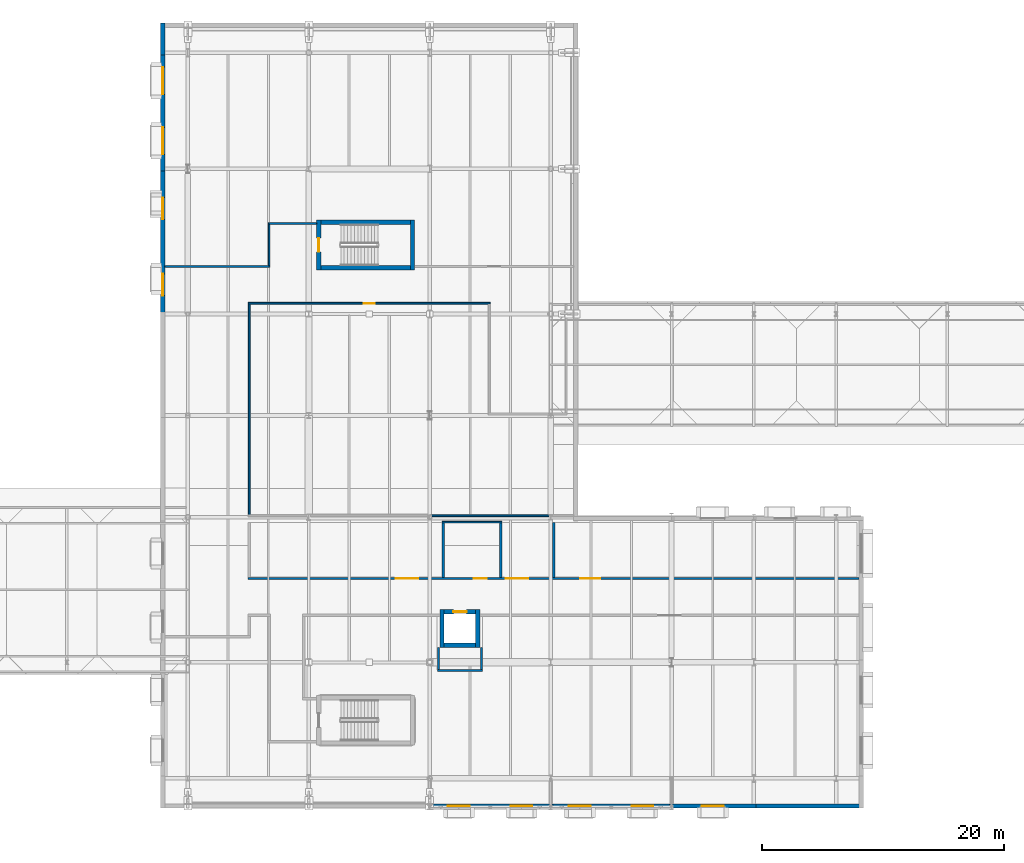
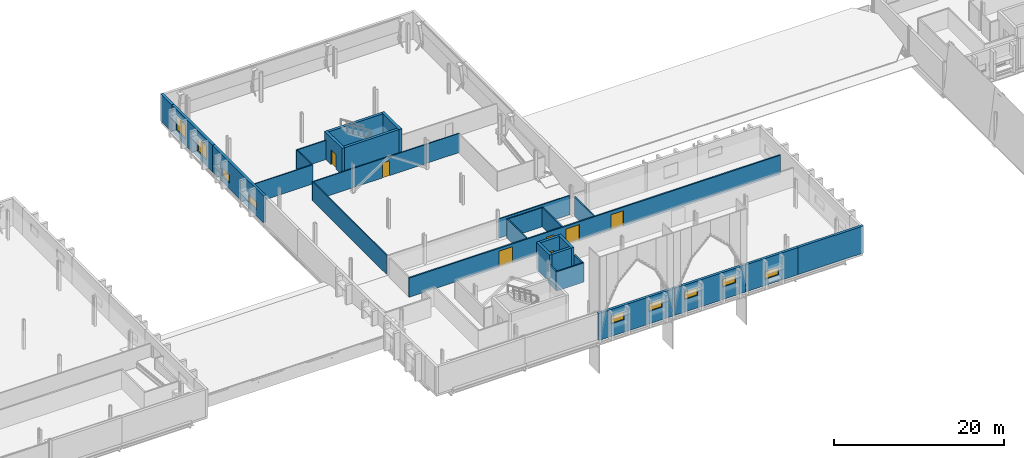
# One storey, part 65 of 90: 29 walls, 9 windows, 7 doors, 16 openings.
"""IFC4 building model written with IfcOpenShell, lengths in metres."""

import ifcopenshell
import ifcopenshell.guid

model = None  # the IFC model being written
_history = None  # IfcOwnerHistory: only IFC2X3 demands one
_inside = {}  # id of a spatial element -> (the spatial element, [elements in it])
_under = {}  # id of a project, library or spatial element -> (it, [spatial elements below it])
_declared = {}  # id of a project -> (the project, [libraries it declares])
_typed = {}  # id of a type object -> (the type object, [elements of that type])
_made_of = {}  # id of a material, layer set ... -> (it, [elements and type objects made of it])


def new_model(schema):
    """Start an empty IFC model of exactly this schema.

    Asked for "IFC4X3", IfcOpenShell would pick the latest addendum, in which some entities
    have other attributes; the version numbers below select the first issue.
    IFC2X3 requires an IfcOwnerHistory on every rooted entity: one is made here for all.
    """
    global model, _history
    if schema == "IFC4X3":
        model = ifcopenshell.file(schema_version=(4, 3, 0, 0))
    else:
        model = ifcopenshell.file(schema=schema)
    _inside.clear()
    _under.clear()
    _declared.clear()
    _typed.clear()
    _made_of.clear()
    _history = None
    if model.schema == "IFC2X3":
        org = make("IfcOrganization", Name="unknown")
        user = make(
            "IfcPersonAndOrganization",
            ThePerson=make("IfcPerson", FamilyName="unknown"),
            TheOrganization=org,
        )
        app = make(
            "IfcApplication",
            ApplicationDeveloper=org,
            Version="unknown",
            ApplicationFullName="unknown",
            ApplicationIdentifier="unknown",
        )
        _history = make(
            "IfcOwnerHistory",
            OwningUser=user,
            OwningApplication=app,
            ChangeAction="ADDED",
            CreationDate=0,
        )
    return model


def make(cls, **values):
    """One entity of the class cls with the attributes given. An attribute that is None is left unset."""
    return model.create_entity(
        cls, **{name: value for name, value in values.items() if value is not None}
    )


def rooted(cls, **values):
    """An entity with a GlobalId (a new one), such as an element, a storey or a relation."""
    return make(cls, GlobalId=ifcopenshell.guid.new(), OwnerHistory=_history, **values)


def si_unit(unit_type, name, prefix=None):
    """IfcSIUnit, for example si_unit("LENGTHUNIT", "METRE", prefix="MILLI")."""
    return make("IfcSIUnit", UnitType=unit_type, Prefix=prefix, Name=name)


def assignment(units):
    """IfcUnitAssignment: the units of a project."""
    return None if units is None else make("IfcUnitAssignment", Units=units)


def point(xyz):
    """IfcCartesianPoint."""
    return None if xyz is None else make("IfcCartesianPoint", Coordinates=xyz)


def direction(xyz):
    """IfcDirection."""
    return None if xyz is None else make("IfcDirection", DirectionRatios=xyz)


def frame(location, z_axis=None, x_axis=None):
    """IfcAxis2Placement3D, a coordinate frame: its origin and axes. An axis left out is left unset."""
    return make(
        "IfcAxis2Placement3D",
        Location=point(location),
        Axis=direction(z_axis),
        RefDirection=direction(x_axis),
    )


def frame_2d(location, x_axis=None):
    """IfcAxis2Placement2D, a coordinate frame in the plane: its origin and x axis."""
    return make(
        "IfcAxis2Placement2D", Location=point(location), RefDirection=direction(x_axis)
    )


def origin():
    """The frame at (0, 0, 0) with its axes left unset."""
    return frame((0.0, 0.0, 0.0))


def place(relative_to, where):
    """IfcLocalPlacement: puts the frame where relative to a parent placement (None: the world)."""
    return make(
        "IfcLocalPlacement", PlacementRelTo=relative_to, RelativePlacement=where
    )


def context(
    kind, dimensions, precision=None, world=None, true_north=None, identifier=None
):
    """IfcGeometricRepresentationContext, for example the 3D "Model" context."""
    return make(
        "IfcGeometricRepresentationContext",
        ContextIdentifier=identifier,
        ContextType=kind,
        CoordinateSpaceDimension=dimensions,
        Precision=precision,
        WorldCoordinateSystem=world,
        TrueNorth=true_north,
    )


def subcontext(parent, identifier, kind, view, scale=None):
    """IfcGeometricRepresentationSubContext, for example "Body" below "Model"."""
    return make(
        "IfcGeometricRepresentationSubContext",
        ContextIdentifier=identifier,
        ContextType=kind,
        ParentContext=parent,
        TargetScale=scale,
        TargetView=view,
    )


def project(units=None, contexts=None):
    """IfcProject with its units and contexts."""
    return rooted(
        "IfcProject",
        Name="project",
        RepresentationContexts=contexts,
        UnitsInContext=assignment(units),
    )


def spatial(cls, under=None, at=None, **own):
    """A site, building, storey or space (cls), placed at a placement, below another one or the project."""
    s = rooted(cls, ObjectPlacement=at, **own)
    if under is not None:
        _under.setdefault(under.id(), (under, []))[1].append(s)
    return s


def profile(cls, at=None, kind="AREA", **sizes):
    """A parametric profile (cls). Its sizes go by their IFC names, for example OverallWidth=200.0."""
    return make(cls, ProfileType=kind, Position=at, **sizes)


def rectangle(**sizes):
    """IfcRectangleProfileDef."""
    return profile("IfcRectangleProfileDef", **sizes)


def extrude(swept, where, along, depth):
    """IfcExtrudedAreaSolid: the profile swept, set in the frame where, extruded along a direction by depth."""
    return make(
        "IfcExtrudedAreaSolid",
        SweptArea=swept,
        Position=where,
        ExtrudedDirection=direction(along),
        Depth=depth,
    )


def shape(context_of_items, identifier, shape_type, items):
    """IfcShapeRepresentation: the items that make up one representation, for example the "Body"."""
    return make(
        "IfcShapeRepresentation",
        ContextOfItems=context_of_items,
        RepresentationIdentifier=identifier,
        RepresentationType=shape_type,
        Items=items,
    )


def material(Name=None, Category=None):
    """IfcMaterial."""
    return make("IfcMaterial", Name=Name, Category=Category)


def layer(
    of_material, thickness, ventilated=None, Name=None, Category=None, Priority=None
):
    """IfcMaterialLayer: one layer of a wall or slab, of a material (None: an air gap)."""
    return make(
        "IfcMaterialLayer",
        Material=of_material,
        LayerThickness=thickness,
        IsVentilated=ventilated,
        Name=Name,
        Category=Category,
        Priority=Priority,
    )


def layer_set(layers, Name=None):
    """IfcMaterialLayerSet."""
    return make("IfcMaterialLayerSet", MaterialLayers=layers, LayerSetName=Name)


def made_of(thing, what):
    """Note that an element or type object is made of a material, layer set ...; save() writes the relation."""
    if what is not None:
        _made_of.setdefault(what.id(), (what, []))[1].append(thing)
    return thing


def type_object(cls, material=None, **own):
    """A type object (cls), such as IfcWallType, which elements share."""
    return made_of(rooted(cls, **own), material)


def element(
    cls,
    number,
    at=None,
    inside=None,
    cuts=None,
    type_object=None,
    material=None,
    context=None,
    identifier="Body",
    shape_type=None,
    held_by="IfcProductDefinitionShape",
    body=None,
    shapes=None,
    **own,
):
    """One element of the class cls, such as IfcWall. Its Tag is "e" and its number.

    at: its placement. inside: the storey or other place that contains it. cuts: it is an
    opening in that element (IfcRelVoidsElement). A single representation is given by context,
    identifier, shape_type and body (its items); several are given by shapes. held_by: the class
    of the entity that holds the representations. save() writes the other relations.
    """
    e = rooted(cls, Tag="e%d" % number, ObjectPlacement=at, **own)
    if body is not None:
        shapes = [shape(context, identifier, shape_type, body)]
    if shapes is not None:
        e.Representation = make(held_by, Representations=shapes)
    if inside is not None:
        _inside.setdefault(inside.id(), (inside, []))[1].append(e)
    if cuts is not None:
        rooted(
            "IfcRelVoidsElement", RelatingBuildingElement=cuts, RelatedOpeningElement=e
        )
    if type_object is not None:
        _typed.setdefault(type_object.id(), (type_object, []))[1].append(e)
    return made_of(e, material)


def fill(opening, filler):
    """IfcRelFillsElement: the door or window that sits in an opening."""
    return rooted(
        "IfcRelFillsElement",
        RelatingOpeningElement=opening,
        RelatedBuildingElement=filler,
    )


def aggregate(whole, parts):
    """IfcRelAggregates: a whole, such as a stair, and the parts it consists of."""
    return rooted("IfcRelAggregates", RelatingObject=whole, RelatedObjects=parts)


def save(model, path):
    """Write the relations noted so far, then the file.

    IfcRelAggregates (storeys below a building ...), IfcRelContainedInSpatialStructure (elements
    in a storey), IfcRelDefinesByType, IfcRelAssociatesMaterial and IfcRelDeclares: one each for
    every whole, place, type object, material and project.
    """
    for whole, parts in _under.values():
        aggregate(whole, parts)
    for where, things in _inside.values():
        rooted(
            "IfcRelContainedInSpatialStructure",
            RelatedElements=things,
            RelatingStructure=where,
        )
    for kind, things in _typed.values():
        rooted("IfcRelDefinesByType", RelatedObjects=things, RelatingType=kind)
    for what, things in _made_of.values():
        rooted("IfcRelAssociatesMaterial", RelatedObjects=things, RelatingMaterial=what)
    for by, libraries in _declared.values():
        rooted("IfcRelDeclares", RelatingContext=by, RelatedDefinitions=libraries)
    model.write(path)


model = new_model("IFC4")

# Units and contexts
model_context = context("Model", 3, precision=1e-05, world=origin(), true_north=direction((0.0, 1.0)))
body_context = subcontext(model_context, "Body", "Model", "MODEL_VIEW")
ifc_project = project(units=[si_unit("LENGTHUNIT", "METRE"), si_unit("AREAUNIT", "SQUARE_METRE"), si_unit("VOLUMEUNIT", "CUBIC_METRE"), si_unit("PLANEANGLEUNIT", "RADIAN"), si_unit("MASSUNIT", "GRAM", prefix="KILO")], contexts=[model_context])

# Site, building, storey
site_placement = place(None, origin())
site = spatial("IfcSite", under=ifc_project, at=site_placement, CompositionType="ELEMENT")
building_placement = place(site_placement, origin())
building = spatial("IfcBuilding", under=site, at=building_placement, Name="Zereglee Splitstone Museum", CompositionType="ELEMENT")
storey_placement = place(building_placement, frame((0.0, 0.0, 4.800048828125)))
storey = spatial("IfcBuildingStorey", under=building, at=storey_placement, Name="L01", CompositionType="ELEMENT", Elevation=4.800048828125)

# Wall, opening, door
ifc_material_1 = material(Name="Concrete C45/55", Category="concrete")
ifc_layer_1 = layer(ifc_material_1, 0.360107421875)
ifc_layer_set_1 = layer_set([ifc_layer_1], Name="Concrete C45/55")
wall_type_1 = type_object("IfcWallType", Name="CSW-02", PredefinedType="SHEAR", material=ifc_layer_set_1)
wall_1_placement = place(storey_placement, frame((186.02001953125, 42.0400390625, 0.0), z_axis=(0.0, 0.0, 1.0), x_axis=(0.0, 1.0, 0.0)))
wall_1 = element("IfcWall", 1, at=wall_1_placement, inside=storey, type_object=wall_type_1, Name="Stair Core Shear Wall ST-07 L01 West", PredefinedType="SHEAR", context=body_context, shape_type="SweptSolid", body=[
    extrude(rectangle(XDim=4.119873046875, YDim=0.360107421875, at=frame_2d((2.06005859375, 0.0))), origin(), (0.0, 0.0, 1.0), 3.8798828125),
])
opening_1_placement = place(wall_1_placement, frame((1.485107421875, 0.0, 0.0)))
opening_1 = element("IfcOpeningElement", 2, at=opening_1_placement, cuts=wall_1, Name="Opening ID-03", PredefinedType="OPENING", context=body_context, shape_type="SweptSolid", body=[
    extrude(rectangle(XDim=1.14990234375, YDim=2.14990234375, at=frame_2d((0.574951171875, 1.074951171875))), frame((0.0, 0.19482421875, 0.0), z_axis=(0.0, -1.0, 0.0), x_axis=(1.0, 0.0, 0.0)), (0.0, 0.0, 1.0), 0.389892578125),
])
ifc_material_2 = material(Name="Fire-rated steel and Siberian larch leaf", Category="steel")
door_type_1 = type_object("IfcDoorType", Name="ID-03", OperationType="NOTDEFINED", PredefinedType="DOOR", material=ifc_material_2)
door_1_placement = place(opening_1_placement, origin())
door_1 = element("IfcDoor", 3, at=door_1_placement, inside=storey, type_object=door_type_1, Name="Protected Stair Fire Door ST-07 L01", OperationType="SINGLE_SWING_LEFT", OverallHeight=2.14990234375, OverallWidth=1.14990234375, PredefinedType="DOOR", context=body_context, shape_type="SweptSolid", body=[
    extrude(rectangle(XDim=1.14990234375, YDim=2.14990234375, at=frame_2d((0.574951171875, 1.074951171875))), frame((0.0, 0.02490234375, 0.0), z_axis=(0.0, -1.0, 0.0), x_axis=(1.0, 0.0, 0.0)), (0.0, 0.0, 1.0), 0.050048828125),
])
fill(opening_1, door_1)

# Walls
wall_2_placement = place(storey_placement, frame((193.780029296875, 42.0400390625, 0.0), z_axis=(0.0, 0.0, 1.0), x_axis=(0.0, 1.0, 0.0)))
element("IfcWall", 4, at=wall_2_placement, inside=storey, type_object=wall_type_1, Name="Stair Core Shear Wall ST-07 L01 East", PredefinedType="SHEAR", context=body_context, shape_type="SweptSolid", body=[
    extrude(rectangle(XDim=4.119873046875, YDim=0.360107421875, at=frame_2d((2.06005859375, 0.0))), origin(), (0.0, 0.0, 1.0), 3.8798828125),
])
for number, where, z_axis, x_axis, name in (
    (5, (186.199951171875, 45.97998046875, 0.0), (0.0, 0.0, 1.0), (1.0, 0.0, 0.0), "Stair Core Shear Wall ST-07 L01 North"),
    (6, (186.199951171875, 42.219970703125, 0.0), (0.0, 0.0, 1.0), (1.0, 0.0, 0.0), "Stair Core Shear Wall ST-07 L01 South"),
):
    element("IfcWall", number, at=place(storey_placement, frame(where, z_axis=z_axis, x_axis=x_axis)), inside=storey, type_object=wall_type_1, Name=name, PredefinedType="SHEAR", context=body_context, shape_type="SweptSolid", body=[
        extrude(rectangle(XDim=7.400146484375, YDim=0.360107421875, at=frame_2d((3.7001953125, 0.0))), origin(), (0.0, 0.0, 1.0), 3.8798828125),
    ])

# Wall, opening, door
wall_3_placement = place(storey_placement, frame((196.39990234375, 13.780029296875, 0.0), z_axis=(0.0, 0.0, 1.0), x_axis=(1.0, 0.0, 0.0)))
wall_3 = element("IfcWall", 7, at=wall_3_placement, inside=storey, type_object=wall_type_1, Name="Lift Shaft Wall PL-03 L01 North", PredefinedType="SHEAR", context=body_context, shape_type="SweptSolid", body=[
    extrude(rectangle(XDim=2.60009765625, YDim=0.360107421875, at=frame_2d((1.300048828125, 0.0))), origin(), (0.0, 0.0, 1.0), 3.8798828125),
])
opening_2_placement = place(wall_3_placement, frame((0.75, 0.0, 0.0)))
opening_2 = element("IfcOpeningElement", 8, at=opening_2_placement, cuts=wall_3, Name="Opening LD-01", PredefinedType="OPENING", context=body_context, shape_type="SweptSolid", body=[
    extrude(rectangle(XDim=1.10009765625, YDim=2.14990234375, at=frame_2d((0.550048828125, 1.074951171875))), frame((0.0, 0.19482421875, 0.0), z_axis=(0.0, -1.0, 0.0), x_axis=(1.0, 0.0, 0.0)), (0.0, 0.0, 1.0), 0.389892578125),
])
door_type_2 = type_object("IfcDoorType", Name="LD-01", OperationType="DOUBLE_DOOR_SLIDING", PredefinedType="DOOR", material=ifc_material_2)
door_2_placement = place(opening_2_placement, origin())
door_2 = element("IfcDoor", 9, at=door_2_placement, inside=storey, type_object=door_type_2, Name="Lift Landing Sliding Door PL-03 L01", OperationType="DOUBLE_DOOR_SLIDING", OverallHeight=2.14990234375, OverallWidth=1.10009765625, PredefinedType="DOOR", context=body_context, shape_type="SweptSolid", body=[
    extrude(rectangle(XDim=1.10009765625, YDim=2.14990234375, at=frame_2d((0.550048828125, 1.074951171875))), frame((0.0, 0.02490234375, 0.0), z_axis=(0.0, -1.0, 0.0), x_axis=(1.0, 0.0, 0.0)), (0.0, 0.0, 1.0), 0.050048828125),
])
fill(opening_2, door_2)

# Walls
wall_4_placement = place(storey_placement, frame((196.39990234375, 11.02001953125, 0.0), z_axis=(0.0, 0.0, 1.0), x_axis=(1.0, 0.0, 0.0)))
element("IfcWall", 10, at=wall_4_placement, inside=storey, type_object=wall_type_1, Name="Lift Shaft Wall PL-03 L01 South", PredefinedType="SHEAR", context=body_context, shape_type="SweptSolid", body=[
    extrude(rectangle(XDim=2.60009765625, YDim=0.360107421875, at=frame_2d((1.300048828125, 0.0))), origin(), (0.0, 0.0, 1.0), 3.8798828125),
])
for number, where, z_axis, x_axis, name in (
    (11, (196.219970703125, 10.840087890625, 0.0), (0.0, 0.0, 1.0), (0.0, 1.0, 0.0), "Lift Shaft Wall PL-03 L01 West"),
    (12, (199.179931640625, 10.840087890625, 0.0), (0.0, 0.0, 1.0), (0.0, 1.0, 0.0), "Lift Shaft Wall PL-03 L01 East"),
):
    element("IfcWall", number, at=place(storey_placement, frame(where, z_axis=z_axis, x_axis=x_axis)), inside=storey, type_object=wall_type_1, Name=name, PredefinedType="SHEAR", context=body_context, shape_type="SweptSolid", body=[
        extrude(rectangle(XDim=3.119873046875, YDim=0.360107421875, at=frame_2d((1.56005859375, 0.0))), origin(), (0.0, 0.0, 1.0), 3.8798828125),
    ])

# Wall, openings, windows
ifc_material_3 = material(Name="Precast concrete C40/50", Category="concrete")
ifc_layer_2 = layer(ifc_material_3, 0.35009765625)
ifc_layer_set_2 = layer_set([ifc_layer_2], Name="Precast concrete C40/50")
wall_type_2 = type_object("IfcWallType", Name="EW-01", PredefinedType="STANDARD", material=ifc_layer_set_2)
wall_5_placement = place(storey_placement, frame((195.02001953125, -2.280029296875, 0.0), z_axis=(0.0, 0.0, 1.0), x_axis=(1.0, 0.0, 0.0)))
wall_5 = element("IfcWall", 13, at=wall_5_placement, inside=storey, type_object=wall_type_2, Name="Exterior Backup Wall RC4-EW-L01-0020", PredefinedType="STANDARD", context=body_context, shape_type="SweptSolid", body=[
    extrude(rectangle(XDim=10.35986328125, YDim=0.35009765625, at=frame_2d((5.179931640625, 0.0))), origin(), (0.0, 0.0, 1.0), 3.89990234375),
])
opening_3_placement = place(wall_5_placement, frame((1.68994140625, 0.0, 1.800048828125)))
opening_3 = element("IfcOpeningElement", 14, at=opening_3_placement, cuts=wall_5, Name="Opening EW-W12", PredefinedType="OPENING", context=body_context, shape_type="SweptSolid", body=[
    extrude(rectangle(XDim=1.800048828125, YDim=1.10009765625, at=frame_2d((0.89990234375, 0.550048828125))), frame((0.0, 0.18994140625, 0.0), z_axis=(0.0, -1.0, 0.0), x_axis=(1.0, 0.0, 0.0)), (0.0, 0.0, 1.0), 0.3798828125),
])
opening_4_placement = place(wall_5_placement, frame((6.8701171875, 0.0, 1.800048828125)))
opening_4 = element("IfcOpeningElement", 15, at=opening_4_placement, cuts=wall_5, Name="Opening EW-W12", PredefinedType="OPENING", context=body_context, shape_type="SweptSolid", body=[
    extrude(rectangle(XDim=1.800048828125, YDim=1.10009765625, at=frame_2d((0.89990234375, 0.550048828125))), frame((0.0, 0.18994140625, 0.0), z_axis=(0.0, -1.0, 0.0), x_axis=(1.0, 0.0, 0.0)), (0.0, 0.0, 1.0), 0.3798828125),
])
ifc_material_4 = material(Name="Thermally broken aluminium frame with triple low-e glazing", Category="aluminium")
window_type_1 = type_object("IfcWindowType", Name="EW-W12", PartitioningType="DOUBLE_PANEL_HORIZONTAL", PredefinedType="WINDOW", material=ifc_material_4)
window_1_placement = place(opening_3_placement, origin())
window_1 = element("IfcWindow", 16, at=window_1_placement, inside=storey, type_object=window_type_1, Name="Mughal Deep-Reveal Gallery Window L01-0005", OverallHeight=1.10009765625, OverallWidth=1.800048828125, PartitioningType="SINGLE_PANEL", PredefinedType="WINDOW", context=body_context, shape_type="SweptSolid", body=[
    extrude(rectangle(XDim=1.800048828125, YDim=1.10009765625, at=frame_2d((0.89990234375, 0.550048828125))), frame((0.0, 0.030029296875, 0.0), z_axis=(0.0, -1.0, 0.0), x_axis=(1.0, 0.0, 0.0)), (0.0, 0.0, 1.0), 0.06005859375),
])
fill(opening_3, window_1)
window_2_placement = place(opening_4_placement, origin())
window_2 = element("IfcWindow", 17, at=window_2_placement, inside=storey, type_object=window_type_1, Name="Mughal Deep-Reveal Gallery Window L01-0006", OverallHeight=1.10009765625, OverallWidth=1.800048828125, PartitioningType="SINGLE_PANEL", PredefinedType="WINDOW", context=body_context, shape_type="SweptSolid", body=[
    extrude(rectangle(XDim=1.800048828125, YDim=1.10009765625, at=frame_2d((0.89990234375, 0.550048828125))), frame((0.0, 0.030029296875, 0.0), z_axis=(0.0, -1.0, 0.0), x_axis=(1.0, 0.0, 0.0)), (0.0, 0.0, 1.0), 0.06005859375),
])
fill(opening_4, window_2)

wall_6_placement = place(storey_placement, frame((205.02001953125, -2.280029296875, 0.0), z_axis=(0.0, 0.0, 1.0), x_axis=(1.0, 0.0, 0.0)))
wall_6 = element("IfcWall", 18, at=wall_6_placement, inside=storey, type_object=wall_type_2, Name="Exterior Backup Wall RC4-EW-L01-0021", PredefinedType="STANDARD", context=body_context, shape_type="SweptSolid", body=[
    extrude(rectangle(XDim=10.35986328125, YDim=0.35009765625, at=frame_2d((5.179931640625, 0.0))), origin(), (0.0, 0.0, 1.0), 3.89990234375),
])
opening_5_placement = place(wall_6_placement, frame((1.68994140625, 0.0, 1.800048828125)))
opening_5 = element("IfcOpeningElement", 19, at=opening_5_placement, cuts=wall_6, Name="Opening EW-W12", PredefinedType="OPENING", context=body_context, shape_type="SweptSolid", body=[
    extrude(rectangle(XDim=1.800048828125, YDim=1.10009765625, at=frame_2d((0.89990234375, 0.550048828125))), frame((0.0, 0.18994140625, 0.0), z_axis=(0.0, -1.0, 0.0), x_axis=(1.0, 0.0, 0.0)), (0.0, 0.0, 1.0), 0.3798828125),
])
opening_6_placement = place(wall_6_placement, frame((6.8701171875, 0.0, 1.800048828125)))
opening_6 = element("IfcOpeningElement", 20, at=opening_6_placement, cuts=wall_6, Name="Opening EW-W12", PredefinedType="OPENING", context=body_context, shape_type="SweptSolid", body=[
    extrude(rectangle(XDim=1.800048828125, YDim=1.10009765625, at=frame_2d((0.89990234375, 0.550048828125))), frame((0.0, 0.18994140625, 0.0), z_axis=(0.0, -1.0, 0.0), x_axis=(1.0, 0.0, 0.0)), (0.0, 0.0, 1.0), 0.3798828125),
])
window_3_placement = place(opening_5_placement, origin())
window_3 = element("IfcWindow", 21, at=window_3_placement, inside=storey, type_object=window_type_1, Name="Mughal Deep-Reveal Gallery Window L01-0007", OverallHeight=1.10009765625, OverallWidth=1.800048828125, PartitioningType="SINGLE_PANEL", PredefinedType="WINDOW", context=body_context, shape_type="SweptSolid", body=[
    extrude(rectangle(XDim=1.800048828125, YDim=1.10009765625, at=frame_2d((0.89990234375, 0.550048828125))), frame((0.0, 0.030029296875, 0.0), z_axis=(0.0, -1.0, 0.0), x_axis=(1.0, 0.0, 0.0)), (0.0, 0.0, 1.0), 0.06005859375),
])
fill(opening_5, window_3)
window_4_placement = place(opening_6_placement, origin())
window_4 = element("IfcWindow", 22, at=window_4_placement, inside=storey, type_object=window_type_1, Name="Mughal Deep-Reveal Gallery Window L01-0008", OverallHeight=1.10009765625, OverallWidth=1.800048828125, PartitioningType="SINGLE_PANEL", PredefinedType="WINDOW", context=body_context, shape_type="SweptSolid", body=[
    extrude(rectangle(XDim=1.800048828125, YDim=1.10009765625, at=frame_2d((0.89990234375, 0.550048828125))), frame((0.0, 0.030029296875, 0.0), z_axis=(0.0, -1.0, 0.0), x_axis=(1.0, 0.0, 0.0)), (0.0, 0.0, 1.0), 0.06005859375),
])
fill(opening_6, window_4)

# Wall, opening, window
wall_7_placement = place(storey_placement, frame((215.02001953125, -2.280029296875, 0.0), z_axis=(0.0, 0.0, 1.0), x_axis=(1.0, 0.0, 0.0)))
wall_7 = element("IfcWall", 23, at=wall_7_placement, inside=storey, type_object=wall_type_2, Name="Exterior Backup Wall RC4-EW-L01-0022", PredefinedType="STANDARD", context=body_context, shape_type="SweptSolid", body=[
    extrude(rectangle(XDim=7.159912109375, YDim=0.35009765625, at=frame_2d((3.580078125, 0.0))), origin(), (0.0, 0.0, 1.0), 3.89990234375),
])
opening_7_placement = place(wall_7_placement, frame((2.679931640625, 0.0, 0.89990234375)))
opening_7 = element("IfcOpeningElement", 24, at=opening_7_placement, cuts=wall_7, Name="Opening EW-W12", PredefinedType="OPENING", context=body_context, shape_type="SweptSolid", body=[
    extrude(rectangle(XDim=1.800048828125, YDim=1.10009765625, at=frame_2d((0.89990234375, 0.550048828125))), frame((0.0, 0.18994140625, 0.0), z_axis=(0.0, -1.0, 0.0), x_axis=(1.0, 0.0, 0.0)), (0.0, 0.0, 1.0), 0.3798828125),
])
window_5_placement = place(opening_7_placement, origin())
window_5 = element("IfcWindow", 25, at=window_5_placement, inside=storey, type_object=window_type_1, Name="Mughal Deep-Reveal Gallery Window L01-0009", OverallHeight=1.10009765625, OverallWidth=1.800048828125, PartitioningType="SINGLE_PANEL", PredefinedType="WINDOW", context=body_context, shape_type="SweptSolid", body=[
    extrude(rectangle(XDim=1.800048828125, YDim=1.10009765625, at=frame_2d((0.89990234375, 0.550048828125))), frame((0.0, 0.030029296875, 0.0), z_axis=(0.0, -1.0, 0.0), x_axis=(1.0, 0.0, 0.0)), (0.0, 0.0, 1.0), 0.06005859375),
])
fill(opening_7, window_5)

# Walls
wall_8_placement = place(storey_placement, frame((221.820068359375, -2.280029296875, 0.0), z_axis=(0.0, 0.0, 1.0), x_axis=(1.0, 0.0, 0.0)))
element("IfcWall", 26, at=wall_8_placement, inside=storey, type_object=wall_type_2, Name="Exterior Backup Wall RC4-EW-L01-0023", PredefinedType="STANDARD", context=body_context, shape_type="SweptSolid", body=[
    extrude(rectangle(XDim=9.239990234375, YDim=0.35009765625, at=frame_2d((4.6201171875, 0.0))), origin(), (0.0, 0.0, 1.0), 3.89990234375),
])
wall_9_placement = place(storey_placement, frame((173.1201171875, 62.4599609375, 0.0), z_axis=(0.0, 0.0, 1.0), x_axis=(0.0, -1.0, 0.0)))
element("IfcWall", 27, at=wall_9_placement, inside=storey, type_object=wall_type_2, Name="Exterior Backup Wall RC4-EW-L01-0038", PredefinedType="STANDARD", context=body_context, shape_type="SweptSolid", body=[
    extrude(rectangle(XDim=2.639892578125, YDim=0.35009765625, at=frame_2d((1.31982421875, 0.0))), origin(), (0.0, 0.0, 1.0), 3.89990234375),
])

# Wall, openings, windows
wall_10_placement = place(storey_placement, frame((173.1201171875, 60.179931640625, 0.0), z_axis=(0.0, 0.0, 1.0), x_axis=(0.0, -1.0, 0.0)))
wall_10 = element("IfcWall", 28, at=wall_10_placement, inside=storey, type_object=wall_type_2, Name="Exterior Backup Wall RC4-EW-L01-0039", PredefinedType="STANDARD", context=body_context, shape_type="SweptSolid", body=[
    extrude(rectangle(XDim=9.9599609375, YDim=0.35009765625, at=frame_2d((4.97998046875, 0.0))), origin(), (0.0, 0.0, 1.0), 3.89990234375),
])
opening_8_placement = place(wall_10_placement, frame((1.364990234375, 0.0, 0.89990234375)))
opening_8 = element("IfcOpeningElement", 29, at=opening_8_placement, cuts=wall_10, Name="Opening EW-W20", PredefinedType="OPENING", context=body_context, shape_type="SweptSolid", body=[
    extrude(rectangle(XDim=2.25, YDim=2.0, at=frame_2d((1.125, 1.0))), frame((0.0, 0.18994140625, 0.0), z_axis=(0.0, -1.0, 0.0), x_axis=(1.0, 0.0, 0.0)), (0.0, 0.0, 1.0), 0.3798828125),
])
opening_9_placement = place(wall_10_placement, frame((6.344970703125, 0.0, 0.89990234375)))
opening_9 = element("IfcOpeningElement", 30, at=opening_9_placement, cuts=wall_10, Name="Opening EW-W20", PredefinedType="OPENING", context=body_context, shape_type="SweptSolid", body=[
    extrude(rectangle(XDim=2.25, YDim=2.0, at=frame_2d((1.125, 1.0))), frame((0.0, 0.18994140625, 0.0), z_axis=(0.0, -1.0, 0.0), x_axis=(1.0, 0.0, 0.0)), (0.0, 0.0, 1.0), 0.3798828125),
])
window_type_2 = type_object("IfcWindowType", Name="EW-W20", PartitioningType="DOUBLE_PANEL_VERTICAL", PredefinedType="WINDOW", material=ifc_material_4)
window_6_placement = place(opening_8_placement, origin())
window_6 = element("IfcWindow", 31, at=window_6_placement, inside=storey, type_object=window_type_2, Name="Mughal Deep-Reveal Gallery Window L01-0017", OverallHeight=2.0, OverallWidth=2.25, PartitioningType="SINGLE_PANEL", PredefinedType="WINDOW", context=body_context, shape_type="SweptSolid", body=[
    extrude(rectangle(XDim=2.25, YDim=2.0, at=frame_2d((1.125, 1.0))), frame((0.0, 0.030029296875, 0.0), z_axis=(0.0, -1.0, 0.0), x_axis=(1.0, 0.0, 0.0)), (0.0, 0.0, 1.0), 0.06005859375),
])
fill(opening_8, window_6)
window_7_placement = place(opening_9_placement, origin())
window_7 = element("IfcWindow", 32, at=window_7_placement, inside=storey, type_object=window_type_2, Name="Mughal Deep-Reveal Gallery Window L01-0018", OverallHeight=2.0, OverallWidth=2.25, PartitioningType="SINGLE_PANEL", PredefinedType="WINDOW", context=body_context, shape_type="SweptSolid", body=[
    extrude(rectangle(XDim=2.25, YDim=2.0, at=frame_2d((1.125, 1.0))), frame((0.0, 0.030029296875, 0.0), z_axis=(0.0, -1.0, 0.0), x_axis=(1.0, 0.0, 0.0)), (0.0, 0.0, 1.0), 0.06005859375),
])
fill(opening_9, window_7)

wall_11_placement = place(storey_placement, frame((173.1201171875, 50.580078125, 0.0), z_axis=(0.0, 0.0, 1.0), x_axis=(0.0, -1.0, 0.0)))
wall_11 = element("IfcWall", 33, at=wall_11_placement, inside=storey, type_object=wall_type_2, Name="Exterior Backup Wall RC4-EW-L01-0040", PredefinedType="STANDARD", context=body_context, shape_type="SweptSolid", body=[
    extrude(rectangle(XDim=12.360107421875, YDim=0.35009765625, at=frame_2d((6.18017578125, 0.0))), origin(), (0.0, 0.0, 1.0), 3.89990234375),
])
opening_10_placement = place(wall_11_placement, frame((2.56494140625, 0.0, 0.89990234375)))
opening_10 = element("IfcOpeningElement", 34, at=opening_10_placement, cuts=wall_11, Name="Opening EW-W12", PredefinedType="OPENING", context=body_context, shape_type="SweptSolid", body=[
    extrude(rectangle(XDim=1.800048828125, YDim=1.10009765625, at=frame_2d((0.89990234375, 0.550048828125))), frame((0.0, 0.18994140625, 0.0), z_axis=(0.0, -1.0, 0.0), x_axis=(1.0, 0.0, 0.0)), (0.0, 0.0, 1.0), 0.3798828125),
])
opening_11_placement = place(wall_11_placement, frame((8.8701171875, 0.0, 0.89990234375)))
opening_11 = element("IfcOpeningElement", 35, at=opening_11_placement, cuts=wall_11, Name="Opening EW-W12", PredefinedType="OPENING", context=body_context, shape_type="SweptSolid", body=[
    extrude(rectangle(XDim=1.800048828125, YDim=1.10009765625, at=frame_2d((0.89990234375, 0.550048828125))), frame((0.0, 0.18994140625, 0.0), z_axis=(0.0, -1.0, 0.0), x_axis=(1.0, 0.0, 0.0)), (0.0, 0.0, 1.0), 0.3798828125),
])
window_8_placement = place(opening_10_placement, origin())
window_8 = element("IfcWindow", 36, at=window_8_placement, inside=storey, type_object=window_type_1, Name="Mughal Deep-Reveal Gallery Window L01-0019", OverallHeight=1.10009765625, OverallWidth=1.800048828125, PartitioningType="SINGLE_PANEL", PredefinedType="WINDOW", context=body_context, shape_type="SweptSolid", body=[
    extrude(rectangle(XDim=1.800048828125, YDim=1.10009765625, at=frame_2d((0.89990234375, 0.550048828125))), frame((0.0, 0.030029296875, 0.0), z_axis=(0.0, -1.0, 0.0), x_axis=(1.0, 0.0, 0.0)), (0.0, 0.0, 1.0), 0.06005859375),
])
fill(opening_10, window_8)
window_9_placement = place(opening_11_placement, origin())
window_9 = element("IfcWindow", 37, at=window_9_placement, inside=storey, type_object=window_type_1, Name="Mughal Deep-Reveal Gallery Window L01-0020", OverallHeight=1.10009765625, OverallWidth=1.800048828125, PartitioningType="SINGLE_PANEL", PredefinedType="WINDOW", context=body_context, shape_type="SweptSolid", body=[
    extrude(rectangle(XDim=1.800048828125, YDim=1.10009765625, at=frame_2d((0.89990234375, 0.550048828125))), frame((0.0, 0.030029296875, 0.0), z_axis=(0.0, -1.0, 0.0), x_axis=(1.0, 0.0, 0.0)), (0.0, 0.0, 1.0), 0.06005859375),
])
fill(opening_11, window_9)

# Wall
ifc_material_5 = material(Name="Fire-rated gypsum board partition", Category="masonry")
ifc_layer_3 = layer(ifc_material_5, 0.139892578125)
ifc_layer_set_3 = layer_set([ifc_layer_3], Name="Fire-rated gypsum board partition")
wall_type_3 = type_object("IfcWallType", Name="IW-05", PredefinedType="PARTITIONING", material=ifc_layer_set_3)
wall_12_placement = place(storey_placement, frame((195.35009765625, 21.719970703125, 0.0), z_axis=(0.0, 0.0, 1.0), x_axis=(1.0, 0.0, 0.0)))
element("IfcWall", 38, at=wall_12_placement, inside=storey, type_object=wall_type_3, Name="Interior Partition L01-0359 (Curatorial Study Room)", PredefinedType="PARTITIONING", context=body_context, shape_type="SweptSolid", body=[
    extrude(rectangle(XDim=9.699951171875, YDim=0.139892578125, at=frame_2d((4.85009765625, 0.0))), origin(), (0.0, 0.0, 1.0), 2.760009765625),
])

# Wall, opening, door
wall_13_placement = place(storey_placement, frame((180.2099609375, 39.280029296875, 0.0), z_axis=(0.0, 0.0, 1.0), x_axis=(1.0, 0.0, 0.0)))
wall_13 = element("IfcWall", 39, at=wall_13_placement, inside=storey, type_object=wall_type_3, Name="Interior Partition L01-0378 (Curatorial Study Room)", PredefinedType="PARTITIONING", context=body_context, shape_type="SweptSolid", body=[
    extrude(rectangle(XDim=19.97998046875, YDim=0.139892578125, at=frame_2d((9.989990234375, 0.0))), origin(), (0.0, 0.0, 1.0), 2.760009765625),
])
opening_12_placement = place(wall_13_placement, frame((9.514892578125, 0.0, 0.0)))
opening_12 = element("IfcOpeningElement", 40, at=opening_12_placement, cuts=wall_13, Name="Opening ID-11", PredefinedType="OPENING", context=body_context, shape_type="SweptSolid", body=[
    extrude(rectangle(XDim=0.949951171875, YDim=2.14990234375, at=frame_2d((0.47509765625, 1.074951171875))), frame((0.0, 0.0849609375, 0.0), z_axis=(0.0, -1.0, 0.0), x_axis=(1.0, 0.0, 0.0)), (0.0, 0.0, 1.0), 0.169677734375),
])
ifc_material_6 = material(Name="Siberian larch acoustic timber leaf in bronze-steel frame", Category="steel")
door_type_3 = type_object("IfcDoorType", Name="ID-11", OperationType="NOTDEFINED", PredefinedType="DOOR", material=ifc_material_6)
door_3_placement = place(opening_12_placement, frame((0.949951171875, 0.0, 0.0), z_axis=(0.0, 0.0, 1.0), x_axis=(-1.0, 0.0, 0.0)))
door_3 = element("IfcDoor", 41, at=door_3_placement, inside=storey, type_object=door_type_3, Name="Interior Door L01-0072 (Curatorial Study Room)", OperationType="SINGLE_SWING_LEFT", OverallHeight=2.14990234375, OverallWidth=0.949951171875, PredefinedType="DOOR", context=body_context, shape_type="SweptSolid", body=[
    extrude(rectangle(XDim=0.949951171875, YDim=2.14990234375, at=frame_2d((0.47509765625, 1.074951171875))), frame((0.0, 0.02490234375, 0.0), z_axis=(0.0, -1.0, 0.0), x_axis=(1.0, 0.0, 0.0)), (0.0, 0.0, 1.0), 0.050048828125),
])
fill(opening_12, door_3)

# Walls
wall_14_placement = place(storey_placement, frame((173.294921875, 42.320068359375, 0.0), z_axis=(0.0, 0.0, 1.0), x_axis=(1.0, 0.0, 0.0)))
element("IfcWall", 42, at=wall_14_placement, inside=storey, type_object=wall_type_3, Name="Interior Partition L01-0380 (Museum Administration Office)", PredefinedType="PARTITIONING", context=body_context, shape_type="SweptSolid", body=[
    extrude(rectangle(XDim=8.695068359375, YDim=0.139892578125, at=frame_2d((4.34765625, 0.0))), origin(), (0.0, 0.0, 1.0), 2.760009765625),
])
wall_15_placement = place(storey_placement, frame((181.85009765625, 45.8798828125, 0.0), z_axis=(0.0, 0.0, 1.0), x_axis=(1.0, 0.0, 0.0)))
element("IfcWall", 43, at=wall_15_placement, inside=storey, type_object=wall_type_3, Name="Interior Partition L01-0386 (Museum Administration Office)", PredefinedType="PARTITIONING", context=body_context, shape_type="SweptSolid", body=[
    extrude(rectangle(XDim=3.989990234375, YDim=0.139892578125, at=frame_2d((1.9951171875, 0.0))), origin(), (0.0, 0.0, 1.0), 2.760009765625),
])
wall_16_placement = place(storey_placement, frame((180.280029296875, 21.7900390625, 0.0), z_axis=(0.0, 0.0, 1.0), x_axis=(0.0, 1.0, 0.0)))
element("IfcWall", 44, at=wall_16_placement, inside=storey, type_object=wall_type_3, Name="Interior Partition L01-0427 (Curatorial Study Room)", PredefinedType="PARTITIONING", context=body_context, shape_type="SweptSolid", body=[
    extrude(rectangle(XDim=17.419921875, YDim=0.139892578125, at=frame_2d((8.7099609375, 0.0))), origin(), (0.0, 0.0, 1.0), 2.760009765625),
])
wall_17_placement = place(storey_placement, frame((181.919921875, 42.389892578125, 0.0), z_axis=(0.0, 0.0, 1.0), x_axis=(0.0, 1.0, 0.0)))
element("IfcWall", 45, at=wall_17_placement, inside=storey, type_object=wall_type_3, Name="Interior Partition L01-0429 (Museum Administration Office)", PredefinedType="PARTITIONING", context=body_context, shape_type="SweptSolid", body=[
    extrude(rectangle(XDim=3.420166015625, YDim=0.139892578125, at=frame_2d((1.7099609375, 0.0))), origin(), (0.0, 0.0, 1.0), 2.760009765625),
])
ifc_material_7 = material(Name="Gypsum board on acoustic steel stud", Category="steel")
ifc_layer_4 = layer(ifc_material_7, 0.18994140625)
ifc_layer_set_4 = layer_set([ifc_layer_4], Name="Gypsum board on acoustic steel stud")
wall_type_4 = type_object("IfcWallType", Name="IW-02", PredefinedType="PARTITIONING", material=ifc_layer_set_4)
wall_18_placement = place(storey_placement, frame((195.824951171875, 8.919921875, 0.0), z_axis=(0.0, 0.0, 1.0), x_axis=(1.0, 0.0, 0.0)))
element("IfcWall", 46, at=wall_18_placement, inside=storey, type_object=wall_type_4, Name="Interior Partition L01-0331 (Steppe Ecology Gallery)", PredefinedType="PARTITIONING", context=body_context, shape_type="SweptSolid", body=[
    extrude(rectangle(XDim=3.75, YDim=0.18994140625, at=frame_2d((1.875, 0.0))), origin(), (0.0, 0.0, 1.0), 2.760009765625),
])

# Wall, openings, doors
wall_19_placement = place(storey_placement, frame((180.18505859375, 16.52001953125, 0.0), z_axis=(0.0, 0.0, 1.0), x_axis=(1.0, 0.0, 0.0)))
wall_19 = element("IfcWall", 47, at=wall_19_placement, inside=storey, type_object=wall_type_4, Name="Interior Partition L01-0346 (Public Washroom)", PredefinedType="PARTITIONING", context=body_context, shape_type="SweptSolid", body=[
    extrude(rectangle(XDim=50.52001953125, YDim=0.18994140625, at=frame_2d((25.260009765625, 0.0))), origin(), (0.0, 0.0, 1.0), 2.760009765625),
])
opening_13_placement = place(wall_19_placement, frame((18.672607421875, 0.0, 0.0)))
opening_13 = element("IfcOpeningElement", 48, at=opening_13_placement, cuts=wall_19, Name="Opening ID-12", PredefinedType="OPENING", context=body_context, shape_type="SweptSolid", body=[
    extrude(rectangle(XDim=1.050048828125, YDim=2.10009765625, at=frame_2d((0.52490234375, 1.050048828125))), frame((0.0, 0.10986328125, 0.0), z_axis=(0.0, -1.0, 0.0), x_axis=(1.0, 0.0, 0.0)), (0.0, 0.0, 1.0), 0.2197265625),
])
opening_14_placement = place(wall_19_placement, frame((12.210205078125, 0.0, 0.0)))
opening_14 = element("IfcOpeningElement", 49, at=opening_14_placement, cuts=wall_19, Name="Opening ID-02", PredefinedType="OPENING", context=body_context, shape_type="SweptSolid", body=[
    extrude(rectangle(XDim=1.85009765625, YDim=2.35009765625, at=frame_2d((0.925048828125, 1.175048828125))), frame((0.0, 0.10986328125, 0.0), z_axis=(0.0, -1.0, 0.0), x_axis=(1.0, 0.0, 0.0)), (0.0, 0.0, 1.0), 0.2197265625),
])
opening_15_placement = place(wall_19_placement, frame((21.3037109375, 0.0, 0.0)))
opening_15 = element("IfcOpeningElement", 50, at=opening_15_placement, cuts=wall_19, Name="Opening ID-02", PredefinedType="OPENING", context=body_context, shape_type="SweptSolid", body=[
    extrude(rectangle(XDim=1.85009765625, YDim=2.35009765625, at=frame_2d((0.925048828125, 1.175048828125))), frame((0.0, 0.10986328125, 0.0), z_axis=(0.0, -1.0, 0.0), x_axis=(1.0, 0.0, 0.0)), (0.0, 0.0, 1.0), 0.2197265625),
])
opening_16_placement = place(wall_19_placement, frame((27.46630859375, 0.0, 0.0)))
opening_16 = element("IfcOpeningElement", 51, at=opening_16_placement, cuts=wall_19, Name="Opening ID-13", PredefinedType="OPENING", context=body_context, shape_type="SweptSolid", body=[
    extrude(rectangle(XDim=1.64990234375, YDim=2.25, at=frame_2d((0.824951171875, 1.125))), frame((0.0, 0.10986328125, 0.0), z_axis=(0.0, -1.0, 0.0), x_axis=(1.0, 0.0, 0.0)), (0.0, 0.0, 1.0), 0.2197265625),
])
door_type_4 = type_object("IfcDoorType", Name="ID-12", OperationType="NOTDEFINED", PredefinedType="DOOR", material=ifc_material_6)
door_4_placement = place(opening_13_placement, origin())
door_4 = element("IfcDoor", 52, at=door_4_placement, inside=storey, type_object=door_type_4, Name="Interior Door L01-0058 (Public Washroom)", OperationType="SINGLE_SWING_LEFT", OverallHeight=2.10009765625, OverallWidth=1.050048828125, PredefinedType="DOOR", context=body_context, shape_type="SweptSolid", body=[
    extrude(rectangle(XDim=1.050048828125, YDim=2.10009765625, at=frame_2d((0.52490234375, 1.050048828125))), frame((0.0, 0.02490234375, 0.0), z_axis=(0.0, -1.0, 0.0), x_axis=(1.0, 0.0, 0.0)), (0.0, 0.0, 1.0), 0.050048828125),
])
fill(opening_13, door_4)
door_type_5 = type_object("IfcDoorType", Name="ID-02", OperationType="NOTDEFINED", PredefinedType="DOOR", material=ifc_material_2)
door_5_placement = place(opening_14_placement, origin())
door_5 = element("IfcDoor", 53, at=door_5_placement, inside=storey, type_object=door_type_5, Name="Interior Door L01-0069 (Altai Fauna Diorama Gallery)", OperationType="DOUBLE_DOOR_SINGLE_SWING", OverallHeight=2.35009765625, OverallWidth=1.85009765625, PredefinedType="DOOR", context=body_context, shape_type="SweptSolid", body=[
    extrude(rectangle(XDim=1.85009765625, YDim=2.35009765625, at=frame_2d((0.925048828125, 1.175048828125))), frame((0.0, 0.02490234375, 0.0), z_axis=(0.0, -1.0, 0.0), x_axis=(1.0, 0.0, 0.0)), (0.0, 0.0, 1.0), 0.050048828125),
])
fill(opening_14, door_5)
door_6_placement = place(opening_15_placement, origin())
door_6 = element("IfcDoor", 54, at=door_6_placement, inside=storey, type_object=door_type_5, Name="Interior Door L01-0070 (Altai Fauna Diorama Gallery Suite)", OperationType="DOUBLE_DOOR_SINGLE_SWING", OverallHeight=2.35009765625, OverallWidth=1.85009765625, PredefinedType="DOOR", context=body_context, shape_type="SweptSolid", body=[
    extrude(rectangle(XDim=1.85009765625, YDim=2.35009765625, at=frame_2d((0.925048828125, 1.175048828125))), frame((0.0, 0.02490234375, 0.0), z_axis=(0.0, -1.0, 0.0), x_axis=(1.0, 0.0, 0.0)), (0.0, 0.0, 1.0), 0.050048828125),
])
fill(opening_15, door_6)
door_type_6 = type_object("IfcDoorType", Name="ID-13", OperationType="NOTDEFINED", PredefinedType="DOOR", material=ifc_material_2)
door_7_placement = place(opening_16_placement, origin())
door_7 = element("IfcDoor", 55, at=door_7_placement, inside=storey, type_object=door_type_6, Name="Interior Door L01-0071 (Museum Education Studio)", OperationType="DOUBLE_DOOR_SINGLE_SWING", OverallHeight=2.25, OverallWidth=1.64990234375, PredefinedType="DOOR", context=body_context, shape_type="SweptSolid", body=[
    extrude(rectangle(XDim=1.64990234375, YDim=2.25, at=frame_2d((0.824951171875, 1.125))), frame((0.0, 0.02490234375, 0.0), z_axis=(0.0, -1.0, 0.0), x_axis=(1.0, 0.0, 0.0)), (0.0, 0.0, 1.0), 0.050048828125),
])
fill(opening_16, door_7)

# Walls
wall_20_placement = place(storey_placement, frame((195.919921875, 9.014892578125, 0.0), z_axis=(0.0, 0.0, 1.0), x_axis=(0.0, 1.0, 0.0)))
element("IfcWall", 56, at=wall_20_placement, inside=storey, type_object=wall_type_4, Name="Interior Partition L01-0431 (Steppe Ecology Gallery)", PredefinedType="PARTITIONING", context=body_context, shape_type="SweptSolid", body=[
    extrude(rectangle(XDim=1.8251953125, YDim=0.18994140625, at=frame_2d((0.91259765625, 0.0))), origin(), (0.0, 0.0, 1.0), 2.760009765625),
])
wall_21_placement = place(storey_placement, frame((196.320068359375, 16.614990234375, 0.0), z_axis=(0.0, 0.0, 1.0), x_axis=(0.0, 1.0, 0.0)))
element("IfcWall", 57, at=wall_21_placement, inside=storey, type_object=wall_type_4, Name="Interior Partition L01-0432 (Public Washroom)", PredefinedType="PARTITIONING", context=body_context, shape_type="SweptSolid", body=[
    extrude(rectangle(XDim=4.530029296875, YDim=0.18994140625, at=frame_2d((2.26513671875, 0.0))), origin(), (0.0, 0.0, 1.0), 2.760009765625),
])
wall_22_placement = place(storey_placement, frame((199.47998046875, 9.014892578125, 0.0), z_axis=(0.0, 0.0, 1.0), x_axis=(0.0, 1.0, 0.0)))
element("IfcWall", 58, at=wall_22_placement, inside=storey, type_object=wall_type_4, Name="Interior Partition L01-0433 (Steppe Ecology Gallery)", PredefinedType="PARTITIONING", context=body_context, shape_type="SweptSolid", body=[
    extrude(rectangle(XDim=1.8251953125, YDim=0.18994140625, at=frame_2d((0.91259765625, 0.0))), origin(), (0.0, 0.0, 1.0), 2.760009765625),
])
for number, where, z_axis, x_axis, name in (
    (59, (201.080078125, 16.614990234375, 0.0), (0.0, 0.0, 1.0), (0.0, 1.0, 0.0), "Interior Partition L01-0435 (Public Washroom)"),
    (60, (205.4599609375, 16.614990234375, 0.0), (0.0, 0.0, 1.0), (0.0, 1.0, 0.0), "Interior Partition L01-0436 (Altai Fauna Diorama Gallery Suite)"),
):
    element("IfcWall", number, at=place(storey_placement, frame(where, z_axis=z_axis, x_axis=x_axis)), inside=storey, type_object=wall_type_4, Name=name, PredefinedType="PARTITIONING", context=body_context, shape_type="SweptSolid", body=[
        extrude(rectangle(XDim=4.530029296875, YDim=0.18994140625, at=frame_2d((2.26513671875, 0.0))), origin(), (0.0, 0.0, 1.0), 2.760009765625),
    ])
ifc_material_8 = material(Name="Moisture-resistant tile and gypsum partition", Category="masonry")
ifc_layer_5 = layer(ifc_material_8, 0.1201171875)
ifc_layer_set_5 = layer_set([ifc_layer_5], Name="Moisture-resistant tile and gypsum partition")
wall_type_5 = type_object("IfcWallType", Name="IW-06", PredefinedType="PARTITIONING", material=ifc_layer_set_5)
wall_23_placement = place(storey_placement, frame((196.22509765625, 21.179931640625, 0.0), z_axis=(0.0, 0.0, 1.0), x_axis=(1.0, 0.0, 0.0)))
element("IfcWall", 61, at=wall_23_placement, inside=storey, type_object=wall_type_5, Name="Interior Partition L01-0356 (Public Washroom)", PredefinedType="PARTITIONING", context=body_context, shape_type="SweptSolid", body=[
    extrude(rectangle(XDim=4.949951171875, YDim=0.1201171875, at=frame_2d((2.47509765625, 0.0))), origin(), (0.0, 0.0, 1.0), 2.760009765625),
])

save(model, "model.ifc")
